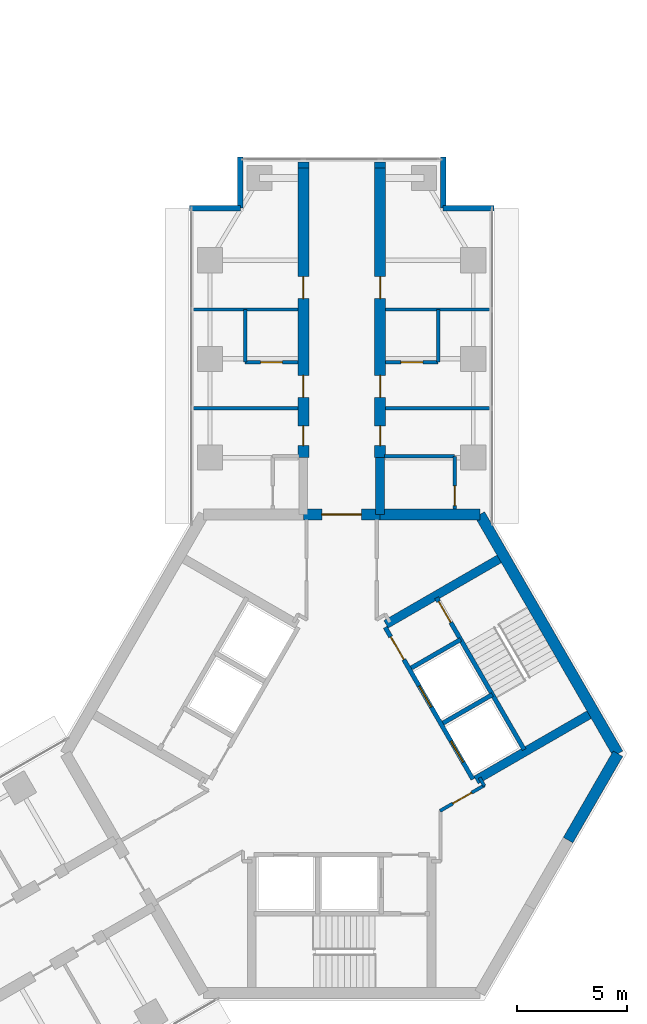
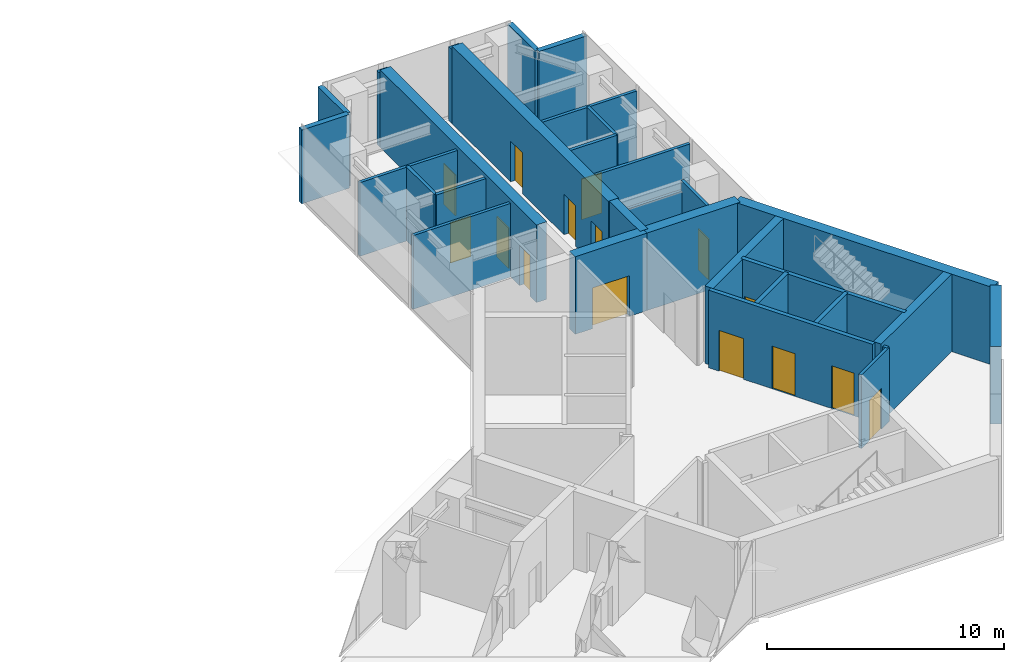
# One storey, part 15 of 17: 31 walls, 15 doors, 15 openings.
"""IFC4 building model written with IfcOpenShell, lengths in metres."""

from ifc_helpers import new_model, si_unit, direction, frame, frame_2d, origin, place, context, subcontext, project, spatial, rectangle, extrude, material, layer, layer_set, type_object, element, fill, save


model = new_model("IFC4")

# Units and contexts
model_context = context("Model", 3, precision=1e-05, world=origin(), true_north=direction((0.0, 1.0)))
body_context = subcontext(model_context, "Body", "Model", "MODEL_VIEW")
ifc_project = project(units=[si_unit("LENGTHUNIT", "METRE"), si_unit("AREAUNIT", "SQUARE_METRE"), si_unit("VOLUMEUNIT", "CUBIC_METRE"), si_unit("PLANEANGLEUNIT", "RADIAN"), si_unit("MASSUNIT", "GRAM", prefix="KILO")], contexts=[model_context])

# Site, building, storey
site_placement = place(None, origin())
site = spatial("IfcSite", under=ifc_project, at=site_placement, CompositionType="ELEMENT")
building_placement = place(site_placement, origin())
building = spatial("IfcBuilding", under=site, at=building_placement, Name="Upepo Twin Towers", CompositionType="ELEMENT")
storey_placement = place(building_placement, frame((0.0, 0.0, 194.5)))
storey = spatial("IfcBuildingStorey", under=building, at=storey_placement, Name="L47", CompositionType="ELEMENT", Elevation=194.5)

# Walls
ifc_material_1 = material(Name="Dense concrete blockwork", Category="masonry")
ifc_layer_1 = layer(ifc_material_1, 0.5)
ifc_layer_set_1 = layer_set([ifc_layer_1], Name="Buttress closer 500, blockwork with fire-stopping to the curtain wall")
wall_type_1 = type_object("IfcWallType", Name="Buttress closer 500, blockwork with fire-stopping to the curtain wall", PredefinedType="PARTITIONING", material=ifc_layer_set_1)
for number, where, z_axis, x_axis, name in (
    (1, (56.75, 8.699951171875, 0.0), (0.0, 0.0, 1.0), (0.0, 1.0, 0.0), "T2 L47 wing A buttress closer L"),
    (2, (60.25, 8.699951171875, 0.0), (0.0, 0.0, 1.0), (0.0, 1.0, 0.0), "T2 L47 wing A buttress closer R"),
):
    element("IfcWall", number, at=place(storey_placement, frame(where, z_axis=z_axis, x_axis=x_axis)), inside=storey, type_object=wall_type_1, Name=name, PredefinedType="PARTITIONING", context=body_context, shape_type="SweptSolid", body=[
        extrude(rectangle(XDim=0.28759765625, YDim=0.5, at=frame_2d((0.143798828125, 0.0))), origin(), (0.0, 0.0, 1.0), 3.800048828125),
    ])
ifc_material_2 = material(Name="Concrete C60/75", Category="concrete")
ifc_layer_2 = layer(ifc_material_2, 0.39990234375)
ifc_layer_set_2 = layer_set([ifc_layer_2], Name="Concrete C60/75")
wall_type_2 = type_object("IfcWallType", Name="Buttress wall 400 RC", PredefinedType="SHEAR", material=ifc_layer_set_2)
wall_1_placement = place(storey_placement, frame((60.25, -7.091552734375, 0.0), z_axis=(0.0, 0.0, 1.0), x_axis=(0.0, 1.0, 0.0)))
element("IfcWall", 3, at=wall_1_placement, inside=storey, type_object=wall_type_2, Name="T2 wing A buttress wall R", PredefinedType="SHEAR", context=body_context, shape_type="SweptSolid", body=[
    extrude(rectangle(XDim=2.591552734375, YDim=0.39990234375, at=frame_2d((1.2958984375, 0.0))), origin(), (0.0, 0.0, 1.0), 4.0),
])

# Wall, openings, doors
ifc_material_3 = material(Name="Concrete C60/75", Category="concrete")
ifc_layer_3 = layer(ifc_material_3, 0.5)
ifc_layer_set_3 = layer_set([ifc_layer_3], Name="Concrete C60/75")
wall_type_3 = type_object("IfcWallType", Name="Buttress wall 500 RC", PredefinedType="SHEAR", material=ifc_layer_set_3)
wall_2_placement = place(storey_placement, frame((56.75, -4.5, 0.0), z_axis=(0.0, 0.0, 1.0), x_axis=(0.0, 1.0, 0.0)))
wall_2 = element("IfcWall", 4, at=wall_2_placement, inside=storey, type_object=wall_type_3, Name="T2 wing A buttress wall L part 2", PredefinedType="SHEAR", context=body_context, shape_type="SweptSolid", body=[
    extrude(rectangle(XDim=13.199951171875, YDim=0.5, at=frame_2d((6.60009765625, 0.0))), origin(), (0.0, 0.0, 1.0), 4.0),
])
opening_1_placement = place(wall_2_placement, frame((0.550048828125, 0.0, 0.0)))
opening_1 = element("IfcOpeningElement", 5, at=opening_1_placement, cuts=wall_2, Name="Opening D11", PredefinedType="OPENING", context=body_context, shape_type="SweptSolid", body=[
    extrude(rectangle(XDim=0.89990234375, YDim=2.10009765625, at=frame_2d((0.449951171875, 1.050048828125))), frame((0.0, 0.260009765625, 0.0), z_axis=(0.0, -1.0, 0.0), x_axis=(1.0, 0.0, 0.0)), (0.0, 0.0, 1.0), 0.52001953125),
])
opening_2_placement = place(wall_2_placement, frame((2.75, 0.0, 0.0)))
opening_2 = element("IfcOpeningElement", 6, at=opening_2_placement, cuts=wall_2, Name="Opening D1", PredefinedType="OPENING", context=body_context, shape_type="SweptSolid", body=[
    extrude(rectangle(XDim=1.0, YDim=2.10009765625, at=frame_2d((0.5, 1.050048828125))), frame((0.0, 0.260009765625, 0.0), z_axis=(0.0, -1.0, 0.0), x_axis=(1.0, 0.0, 0.0)), (0.0, 0.0, 1.0), 0.52001953125),
])
opening_3_placement = place(wall_2_placement, frame((7.25, 0.0, 0.0)))
opening_3 = element("IfcOpeningElement", 7, at=opening_3_placement, cuts=wall_2, Name="Opening D1", PredefinedType="OPENING", context=body_context, shape_type="SweptSolid", body=[
    extrude(rectangle(XDim=1.0, YDim=2.10009765625, at=frame_2d((0.5, 1.050048828125))), frame((0.0, 0.260009765625, 0.0), z_axis=(0.0, -1.0, 0.0), x_axis=(1.0, 0.0, 0.0)), (0.0, 0.0, 1.0), 0.52001953125),
])
ifc_material_4 = material(Name="Timber doorset", Category="wood")
door_type_1 = type_object("IfcDoorType", Name="Room door 1000 FD30", OperationType="SINGLE_SWING_LEFT", PredefinedType="DOOR", material=ifc_material_4)
door_1_placement = place(opening_2_placement, origin())
door_1 = element("IfcDoor", 8, at=door_1_placement, inside=storey, type_object=door_type_1, Name="T2 L47 tutorial room door", OperationType="SINGLE_SWING_LEFT", OverallHeight=2.10009765625, OverallWidth=1.0, PredefinedType="DOOR", context=body_context, shape_type="SweptSolid", body=[
    extrude(rectangle(XDim=1.0, YDim=2.10009765625, at=frame_2d((0.5, 1.050048828125))), frame((0.0, 0.02490234375, 0.0), z_axis=(0.0, -1.0, 0.0), x_axis=(1.0, 0.0, 0.0)), (0.0, 0.0, 1.0), 0.050048828125),
])
fill(opening_2, door_1)
door_2_placement = place(opening_3_placement, origin())
door_2 = element("IfcDoor", 9, at=door_2_placement, inside=storey, type_object=door_type_1, Name="T2 L47 staff office door", OperationType="SINGLE_SWING_RIGHT", OverallHeight=2.10009765625, OverallWidth=1.0, PredefinedType="DOOR", context=body_context, shape_type="SweptSolid", body=[
    extrude(rectangle(XDim=1.0, YDim=2.10009765625, at=frame_2d((0.5, 1.050048828125))), frame((0.0, 0.02490234375, 0.0), z_axis=(0.0, -1.0, 0.0), x_axis=(1.0, 0.0, 0.0)), (0.0, 0.0, 1.0), 0.050048828125),
])
fill(opening_3, door_2)
ifc_material_5 = material(Name="Timber doorset", Category="wood")
door_type_2 = type_object("IfcDoorType", Name="Toilet door 900", OperationType="SINGLE_SWING_LEFT", PredefinedType="DOOR", material=ifc_material_5)
door_3_placement = place(opening_1_placement, origin())
door_3 = element("IfcDoor", 10, at=door_3_placement, inside=storey, type_object=door_type_2, Name="T2 L47 toilets door", OperationType="SINGLE_SWING_LEFT", OverallHeight=2.10009765625, OverallWidth=0.89990234375, PredefinedType="DOOR", context=body_context, shape_type="SweptSolid", body=[
    extrude(rectangle(XDim=0.89990234375, YDim=2.10009765625, at=frame_2d((0.449951171875, 1.050048828125))), frame((0.0, 0.02490234375, 0.0), z_axis=(0.0, -1.0, 0.0), x_axis=(1.0, 0.0, 0.0)), (0.0, 0.0, 1.0), 0.050048828125),
])
fill(opening_1, door_3)

wall_3_placement = place(storey_placement, frame((60.25, -4.5, 0.0), z_axis=(0.0, 0.0, 1.0), x_axis=(0.0, 1.0, 0.0)))
wall_3 = element("IfcWall", 11, at=wall_3_placement, inside=storey, type_object=wall_type_3, Name="T2 wing A buttress wall R part 2", PredefinedType="SHEAR", context=body_context, shape_type="SweptSolid", body=[
    extrude(rectangle(XDim=13.199951171875, YDim=0.5, at=frame_2d((6.60009765625, 0.0))), origin(), (0.0, 0.0, 1.0), 4.0),
])
opening_4_placement = place(wall_3_placement, frame((0.550048828125, 0.0, 0.0)))
opening_4 = element("IfcOpeningElement", 12, at=opening_4_placement, cuts=wall_3, Name="Opening D11", PredefinedType="OPENING", context=body_context, shape_type="SweptSolid", body=[
    extrude(rectangle(XDim=0.89990234375, YDim=2.10009765625, at=frame_2d((0.449951171875, 1.050048828125))), frame((0.0, 0.260009765625, 0.0), z_axis=(0.0, -1.0, 0.0), x_axis=(1.0, 0.0, 0.0)), (0.0, 0.0, 1.0), 0.52001953125),
])
opening_5_placement = place(wall_3_placement, frame((2.75, 0.0, 0.0)))
opening_5 = element("IfcOpeningElement", 13, at=opening_5_placement, cuts=wall_3, Name="Opening D1", PredefinedType="OPENING", context=body_context, shape_type="SweptSolid", body=[
    extrude(rectangle(XDim=1.0, YDim=2.10009765625, at=frame_2d((0.5, 1.050048828125))), frame((0.0, 0.260009765625, 0.0), z_axis=(0.0, -1.0, 0.0), x_axis=(1.0, 0.0, 0.0)), (0.0, 0.0, 1.0), 0.52001953125),
])
opening_6_placement = place(wall_3_placement, frame((7.25, 0.0, 0.0)))
opening_6 = element("IfcOpeningElement", 14, at=opening_6_placement, cuts=wall_3, Name="Opening D1", PredefinedType="OPENING", context=body_context, shape_type="SweptSolid", body=[
    extrude(rectangle(XDim=1.0, YDim=2.10009765625, at=frame_2d((0.5, 1.050048828125))), frame((0.0, 0.260009765625, 0.0), z_axis=(0.0, -1.0, 0.0), x_axis=(1.0, 0.0, 0.0)), (0.0, 0.0, 1.0), 0.52001953125),
])
door_4_placement = place(opening_5_placement, origin())
door_4 = element("IfcDoor", 15, at=door_4_placement, inside=storey, type_object=door_type_1, Name="T2 L47 seminar room door", OperationType="SINGLE_SWING_LEFT", OverallHeight=2.10009765625, OverallWidth=1.0, PredefinedType="DOOR", context=body_context, shape_type="SweptSolid", body=[
    extrude(rectangle(XDim=1.0, YDim=2.10009765625, at=frame_2d((0.5, 1.050048828125))), frame((0.0, 0.02490234375, 0.0), z_axis=(0.0, -1.0, 0.0), x_axis=(1.0, 0.0, 0.0)), (0.0, 0.0, 1.0), 0.050048828125),
])
fill(opening_5, door_4)
door_5_placement = place(opening_6_placement, origin())
door_5 = element("IfcDoor", 16, at=door_5_placement, inside=storey, type_object=door_type_1, Name="T2 L47 tutorial room door", OperationType="SINGLE_SWING_RIGHT", OverallHeight=2.10009765625, OverallWidth=1.0, PredefinedType="DOOR", context=body_context, shape_type="SweptSolid", body=[
    extrude(rectangle(XDim=1.0, YDim=2.10009765625, at=frame_2d((0.5, 1.050048828125))), frame((0.0, 0.02490234375, 0.0), z_axis=(0.0, -1.0, 0.0), x_axis=(1.0, 0.0, 0.0)), (0.0, 0.0, 1.0), 0.050048828125),
])
fill(opening_6, door_5)
door_6_placement = place(opening_4_placement, origin())
door_6 = element("IfcDoor", 17, at=door_6_placement, inside=storey, type_object=door_type_2, Name="T2 L47 accessible wc door", OperationType="SINGLE_SWING_LEFT", OverallHeight=2.10009765625, OverallWidth=0.89990234375, PredefinedType="DOOR", context=body_context, shape_type="SweptSolid", body=[
    extrude(rectangle(XDim=0.89990234375, YDim=2.10009765625, at=frame_2d((0.449951171875, 1.050048828125))), frame((0.0, 0.02490234375, 0.0), z_axis=(0.0, -1.0, 0.0), x_axis=(1.0, 0.0, 0.0)), (0.0, 0.0, 1.0), 0.050048828125),
])
fill(opening_4, door_6)

# Wall
ifc_material_6 = material(Name="Concrete C60/75", Category="concrete")
ifc_layer_4 = layer(ifc_material_6, 0.5)
ifc_layer_set_4 = layer_set([ifc_layer_4], Name="Concrete C60/75")
wall_type_4 = type_object("IfcWallType", Name="Core wall 500 RC", PredefinedType="SHEAR", material=ifc_layer_set_4)
wall_4_placement = place(storey_placement, frame((64.7978515625, -7.091552734375, 0.0), z_axis=(0.0, 0.0, 1.0), x_axis=(-1.0, 0.0, 0.0)))
element("IfcWall", 18, at=wall_4_placement, inside=storey, type_object=wall_type_4, Name="T2 core wall 000 R", PredefinedType="SHEAR", context=body_context, shape_type="SweptSolid", body=[
    extrude(rectangle(XDim=4.5478515625, YDim=0.5, at=frame_2d((2.27392578125, 0.0))), origin(), (0.0, 0.0, 1.0), 4.0),
])

# Wall, opening, door
wall_5_placement = place(storey_placement, frame((60.25, -7.091552734375, 0.0), z_axis=(0.0, 0.0, 1.0), x_axis=(-1.0, 0.0, 0.0)))
wall_5 = element("IfcWall", 19, at=wall_5_placement, inside=storey, type_object=wall_type_4, Name="T2 core wall 000", PredefinedType="SHEAR", context=body_context, shape_type="SweptSolid", body=[
    extrude(rectangle(XDim=3.5, YDim=0.5, at=frame_2d((1.75, 0.0))), origin(), (0.0, 0.0, 1.0), 4.0),
])
opening_7_placement = place(wall_5_placement, frame((0.85009765625, 0.0, 0.0)))
opening_7 = element("IfcOpeningElement", 20, at=opening_7_placement, cuts=wall_5, Name="Opening D2", PredefinedType="OPENING", context=body_context, shape_type="SweptSolid", body=[
    extrude(rectangle(XDim=1.800048828125, YDim=2.10009765625, at=frame_2d((0.89990234375, 1.050048828125))), frame((0.0, 0.260009765625, 0.0), z_axis=(0.0, -1.0, 0.0), x_axis=(1.0, 0.0, 0.0)), (0.0, 0.0, 1.0), 0.52001953125),
])
ifc_material_7 = material(Name="Timber doorset", Category="wood")
door_type_3 = type_object("IfcDoorType", Name="Corridor double door 1800 FD60", OperationType="DOUBLE_DOOR_DOUBLE_SWING", PredefinedType="DOOR", material=ifc_material_7)
door_7_placement = place(opening_7_placement, origin())
door_7 = element("IfcDoor", 21, at=door_7_placement, inside=storey, type_object=door_type_3, Name="T2 L47 wing A corridor door", OperationType="DOUBLE_DOOR_DOUBLE_SWING", OverallHeight=2.10009765625, OverallWidth=1.800048828125, PredefinedType="DOOR", context=body_context, shape_type="SweptSolid", body=[
    extrude(rectangle(XDim=1.800048828125, YDim=2.10009765625, at=frame_2d((0.89990234375, 1.050048828125))), frame((0.0, 0.02490234375, 0.0), z_axis=(0.0, -1.0, 0.0), x_axis=(1.0, 0.0, 0.0)), (0.0, 0.0, 1.0), 0.050048828125),
])
fill(opening_7, door_7)

# Walls
wall_6_placement = place(storey_placement, frame((68.82177734375, -21.938720703125, 0.0), z_axis=(0.0, 0.0, 1.0), x_axis=(0.500024481964, 0.866011268655, 0.0)))
element("IfcWall", 22, at=wall_6_placement, inside=storey, type_object=wall_type_4, Name="T2 core wall 240 L", PredefinedType="SHEAR", context=body_context, shape_type="SweptSolid", body=[
    extrude(rectangle(XDim=4.548095703125, YDim=0.5, at=frame_2d((2.27392578125, 0.0))), origin(), (0.0, 0.0, 1.0), 4.0),
])
wall_7_placement = place(storey_placement, frame((71.095947265625, -18.0, 0.0), z_axis=(0.0, 0.0, 1.0), x_axis=(-0.500005998175, 0.866021940709, 0.0)))
element("IfcWall", 23, at=wall_7_placement, inside=storey, type_object=wall_type_4, Name="T2 core wall 300", PredefinedType="SHEAR", context=body_context, shape_type="SweptSolid", body=[
    extrude(rectangle(XDim=12.595947265625, YDim=0.5, at=frame_2d((6.2978515625, 0.0))), origin(), (0.0, 0.0, 1.0), 4.0),
])
ifc_material_8 = material(Name="Blockwork with anodised aluminium cladding", Category="masonry")
ifc_layer_5 = layer(ifc_material_8, 0.25)
ifc_layer_set_5 = layer_set([ifc_layer_5], Name="Notch cladding wall 250, pale metal")
wall_type_5 = type_object("IfcWallType", Name="Notch cladding wall 250, pale metal", PredefinedType="STANDARD", material=ifc_layer_set_5)
for number, where, z_axis, x_axis, name in (
    (24, (51.550048828125, 6.875, 0.0), (0.0, 0.0, 1.0), (1.0, 0.0, 0.0), "T2 L47 wing A notch wall L1"),
    (25, (53.875, 6.875, 0.0), (0.0, 0.0, 1.0), (0.0, 1.0, 0.0), "T2 L47 wing A notch wall L2"),
    (26, (65.449951171875, 6.875, 0.0), (0.0, 0.0, 1.0), (-1.0, 0.0, 0.0), "T2 L47 wing A notch wall R1"),
    (27, (63.125, 6.875, 0.0), (0.0, 0.0, 1.0), (0.0, 1.0, 0.0), "T2 L47 wing A notch wall R2"),
):
    element("IfcWall", number, at=place(storey_placement, frame(where, z_axis=z_axis, x_axis=x_axis)), inside=storey, type_object=wall_type_5, Name=name, PredefinedType="STANDARD", context=body_context, shape_type="SweptSolid", body=[
        extrude(rectangle(XDim=2.324951171875, YDim=0.25, at=frame_2d((1.16259765625, 0.0))), origin(), (0.0, 0.0, 1.0), 3.800048828125),
    ])

# Wall, openings, doors
ifc_material_9 = material(Name="Concrete C40/50", Category="concrete")
ifc_layer_6 = layer(ifc_material_9, 0.199951171875)
ifc_layer_set_6 = layer_set([ifc_layer_6], Name="Concrete C40/50")
wall_type_6 = type_object("IfcWallType", Name="Shaft wall 200 RC", PredefinedType="SHEAR", material=ifc_layer_set_6)
wall_8_placement = place(storey_placement, frame((64.483642578125, -19.1640625, 0.0), z_axis=(0.0, 0.0, 1.0), x_axis=(-0.49999894854, 0.866026010844, 0.0)))
wall_8 = element("IfcWall", 28, at=wall_8_placement, inside=storey, type_object=wall_type_6, Name="T2 core W300 front wall", PredefinedType="SHEAR", context=body_context, shape_type="SweptSolid", body=[
    extrude(rectangle(XDim=8.0, YDim=0.199951171875, at=frame_2d((4.0, 0.0))), origin(), (0.0, 0.0, 1.0), 4.0),
])
opening_8_placement = place(wall_8_placement, frame((6.300048828125, 0.0, 0.0)))
opening_8 = element("IfcOpeningElement", 29, at=opening_8_placement, cuts=wall_8, Name="Opening D4", PredefinedType="OPENING", context=body_context, shape_type="SweptSolid", body=[
    extrude(rectangle(XDim=1.199951171875, YDim=2.10009765625, at=frame_2d((0.60009765625, 1.050048828125))), frame((0.0, 0.10986328125, 0.0), z_axis=(0.0, -1.0, 0.0), x_axis=(1.0, 0.0, 0.0)), (0.0, 0.0, 1.0), 0.219970703125),
])
opening_9_placement = place(wall_8_placement, frame((0.89990234375, 0.0, 0.0)))
opening_9 = element("IfcOpeningElement", 30, at=opening_9_placement, cuts=wall_8, Name="Opening LD1", PredefinedType="OPENING", context=body_context, shape_type="SweptSolid", body=[
    extrude(rectangle(XDim=1.10009765625, YDim=2.199951171875, at=frame_2d((0.550048828125, 1.10009765625))), frame((0.0, 0.10986328125, 0.0), z_axis=(0.0, -1.0, 0.0), x_axis=(1.0, 0.0, 0.0)), (0.0, 0.0, 1.0), 0.219970703125),
])
opening_10_placement = place(wall_8_placement, frame((3.800048828125, 0.0, 0.0)))
opening_10 = element("IfcOpeningElement", 31, at=opening_10_placement, cuts=wall_8, Name="Opening LD1", PredefinedType="OPENING", context=body_context, shape_type="SweptSolid", body=[
    extrude(rectangle(XDim=1.10009765625, YDim=2.199951171875, at=frame_2d((0.550048828125, 1.10009765625))), frame((0.0, 0.10986328125, 0.0), z_axis=(0.0, -1.0, 0.0), x_axis=(1.0, 0.0, 0.0)), (0.0, 0.0, 1.0), 0.219970703125),
])
ifc_material_10 = material(Name="Steel doorset", Category="steel")
door_type_4 = type_object("IfcDoorType", Name="Lift landing door 1100", OperationType="DOUBLE_DOOR_SLIDING", PredefinedType="DOOR", material=ifc_material_10)
door_8_placement = place(opening_9_placement, origin())
door_8 = element("IfcDoor", 32, at=door_8_placement, inside=storey, type_object=door_type_4, Name="T2 L47 lift UL1 landing door", OperationType="DOUBLE_DOOR_SLIDING", OverallHeight=2.199951171875, OverallWidth=1.10009765625, PredefinedType="DOOR", context=body_context, shape_type="SweptSolid", body=[
    extrude(rectangle(XDim=1.10009765625, YDim=2.199951171875, at=frame_2d((0.550048828125, 1.10009765625))), frame((0.0, 0.02490234375, 0.0), z_axis=(0.0, -1.0, 0.0), x_axis=(1.0, 0.0, 0.0)), (0.0, 0.0, 1.0), 0.050048828125),
])
fill(opening_9, door_8)
door_9_placement = place(opening_10_placement, origin())
door_9 = element("IfcDoor", 33, at=door_9_placement, inside=storey, type_object=door_type_4, Name="T2 L47 lift UL2 landing door", OperationType="DOUBLE_DOOR_SLIDING", OverallHeight=2.199951171875, OverallWidth=1.10009765625, PredefinedType="DOOR", context=body_context, shape_type="SweptSolid", body=[
    extrude(rectangle(XDim=1.10009765625, YDim=2.199951171875, at=frame_2d((0.550048828125, 1.10009765625))), frame((0.0, 0.02490234375, 0.0), z_axis=(0.0, -1.0, 0.0), x_axis=(1.0, 0.0, 0.0)), (0.0, 0.0, 1.0), 0.050048828125),
])
fill(opening_10, door_9)
ifc_material_11 = material(Name="Timber doorset", Category="wood")
door_type_5 = type_object("IfcDoorType", Name="Lobby door 1200 FD60", OperationType="SINGLE_SWING_LEFT", PredefinedType="DOOR", material=ifc_material_11)
door_10_placement = place(opening_8_placement, origin())
door_10 = element("IfcDoor", 34, at=door_10_placement, inside=storey, type_object=door_type_5, Name="T2 L47 W300 lobby door", OperationType="SINGLE_SWING_RIGHT", OverallHeight=2.10009765625, OverallWidth=1.199951171875, PredefinedType="DOOR", context=body_context, shape_type="SweptSolid", body=[
    extrude(rectangle(XDim=1.199951171875, YDim=2.10009765625, at=frame_2d((0.60009765625, 1.050048828125))), frame((0.0, 0.02490234375, 0.0), z_axis=(0.0, -1.0, 0.0), x_axis=(1.0, 0.0, 0.0)), (0.0, 0.0, 1.0), 0.050048828125),
])
fill(opening_8, door_10)

# Walls
wall_9_placement = place(storey_placement, frame((63.120361328125, -16.6025390625, 0.0), z_axis=(0.0, 0.0, 1.0), x_axis=(0.866062058628, 0.499936506574, 0.0)))
element("IfcWall", 35, at=wall_9_placement, inside=storey, type_object=wall_type_6, Name="T2 core W300 shaft divider", PredefinedType="SHEAR", context=body_context, shape_type="SweptSolid", body=[
    extrude(rectangle(XDim=2.599853515625, YDim=0.199951171875, at=frame_2d((1.2998046875, 0.0))), origin(), (0.0, 0.0, 1.0), 4.0),
])
wall_10_placement = place(storey_placement, frame((61.67041015625, -14.091064453125, 0.0), z_axis=(0.0, 0.0, 1.0), x_axis=(0.86603858612, 0.49997716683, 0.0)))
element("IfcWall", 36, at=wall_10_placement, inside=storey, type_object=wall_type_6, Name="T2 core W300 lobby wall", PredefinedType="SHEAR", context=body_context, shape_type="SweptSolid", body=[
    extrude(rectangle(XDim=2.599609375, YDim=0.199951171875, at=frame_2d((1.2998046875, 0.0))), origin(), (0.0, 0.0, 1.0), 4.0),
])

# Wall, opening, door
wall_11_placement = place(storey_placement, frame((66.822021484375, -17.814208984375, 0.0), z_axis=(0.0, 0.0, 1.0), x_axis=(-0.49999894854, 0.866026010844, 0.0)))
wall_11 = element("IfcWall", 37, at=wall_11_placement, inside=storey, type_object=wall_type_6, Name="T2 core W300 stair wall", PredefinedType="SHEAR", context=body_context, shape_type="SweptSolid", body=[
    extrude(rectangle(XDim=8.0, YDim=0.199951171875, at=frame_2d((4.0, 0.0))), origin(), (0.0, 0.0, 1.0), 4.0),
])
opening_11_placement = place(wall_11_placement, frame((6.699951171875, 0.0, 0.0)))
opening_11 = element("IfcOpeningElement", 38, at=opening_11_placement, cuts=wall_11, Name="Opening D3", PredefinedType="OPENING", context=body_context, shape_type="SweptSolid", body=[
    extrude(rectangle(XDim=1.10009765625, YDim=2.10009765625, at=frame_2d((0.550048828125, 1.050048828125))), frame((0.0, 0.10986328125, 0.0), z_axis=(0.0, -1.0, 0.0), x_axis=(1.0, 0.0, 0.0)), (0.0, 0.0, 1.0), 0.219970703125),
])
ifc_material_12 = material(Name="Timber doorset", Category="wood")
door_type_6 = type_object("IfcDoorType", Name="Stair door 1100 FD60", OperationType="SINGLE_SWING_LEFT", PredefinedType="DOOR", material=ifc_material_12)
door_11_placement = place(opening_11_placement, origin())
door_11 = element("IfcDoor", 39, at=door_11_placement, inside=storey, type_object=door_type_6, Name="T2 L47 stair door", OperationType="SINGLE_SWING_RIGHT", OverallHeight=2.10009765625, OverallWidth=1.10009765625, PredefinedType="DOOR", context=body_context, shape_type="SweptSolid", body=[
    extrude(rectangle(XDim=1.10009765625, YDim=2.10009765625, at=frame_2d((0.550048828125, 1.050048828125))), frame((0.0, 0.02490234375, 0.0), z_axis=(0.0, -1.0, 0.0), x_axis=(1.0, 0.0, 0.0)), (0.0, 0.0, 1.0), 0.050048828125),
])
fill(opening_11, door_11)

# Walls
ifc_material_13 = material(Name="Concrete C40/50", Category="concrete")
ifc_layer_7 = layer(ifc_material_13, 0.39990234375)
ifc_layer_set_7 = layer_set([ifc_layer_7], Name="Concrete C40/50")
wall_type_7 = type_object("IfcWallType", Name="Shaft wall 400 RC", PredefinedType="SHEAR", material=ifc_layer_set_7)
wall_12_placement = place(storey_placement, frame((60.520263671875, -12.099365234375, 0.0), z_axis=(0.0, 0.0, 1.0), x_axis=(0.86602319114, 0.500003832394, 0.0)))
element("IfcWall", 40, at=wall_12_placement, inside=storey, type_object=wall_type_7, Name="T2 core W300 side wall N", PredefinedType="SHEAR", context=body_context, shape_type="SweptSolid", body=[
    extrude(rectangle(XDim=5.95849609375, YDim=0.39990234375, at=frame_2d((2.979248046875, 0.0))), origin(), (0.0, 0.0, 1.0), 4.0),
])
wall_13_placement = place(storey_placement, frame((64.620361328125, -19.20068359375, 0.0), z_axis=(0.0, 0.0, 1.0), x_axis=(0.866012946976, 0.500021575205, 0.0)))
element("IfcWall", 41, at=wall_13_placement, inside=storey, type_object=wall_type_7, Name="T2 core W300 side wall S", PredefinedType="SHEAR", context=body_context, shape_type="SweptSolid", body=[
    extrude(rectangle(XDim=5.958251953125, YDim=0.39990234375, at=frame_2d((2.97900390625, 0.0))), origin(), (0.0, 0.0, 1.0), 4.0),
])
ifc_material_14 = material(Name="Gypsum board on steel studs", Category="steel")
ifc_layer_8 = layer(ifc_material_14, 0.14990234375)
ifc_layer_set_8 = layer_set([ifc_layer_8], Name="Teaching partition 150 acoustic")
wall_type_8 = type_object("IfcWallType", Name="Teaching partition 150 acoustic", PredefinedType="PARTITIONING", material=ifc_layer_set_8)
for number, where, z_axis, x_axis, name in (
    (42, (56.5, -2.25, 0.0), (0.0, 0.0, 1.0), (-1.0, 0.0, 0.0), "T2 partition AL at 15.75"),
    (43, (56.5, 2.25, 0.0), (0.0, 0.0, 1.0), (-1.0, 0.0, 0.0), "T2 partition AL at 20.25"),
):
    element("IfcWall", number, at=place(storey_placement, frame(where, z_axis=z_axis, x_axis=x_axis)), inside=storey, type_object=wall_type_8, Name=name, PredefinedType="PARTITIONING", context=body_context, shape_type="SweptSolid", body=[
        extrude(rectangle(XDim=4.75, YDim=0.14990234375, at=frame_2d((2.375, 0.0))), origin(), (0.0, 0.0, 1.0), 3.800048828125),
    ])
wall_14_placement = place(storey_placement, frame((54.10009765625, -0.14990234375, 0.0), z_axis=(0.0, 0.0, 1.0), x_axis=(0.0, 1.0, 0.0)))
element("IfcWall", 44, at=wall_14_placement, inside=storey, type_object=wall_type_8, Name="T2 inner room partition AL at 17.85", PredefinedType="PARTITIONING", context=body_context, shape_type="SweptSolid", body=[
    extrude(rectangle(XDim=2.39990234375, YDim=0.14990234375, at=frame_2d((1.199951171875, 0.0))), origin(), (0.0, 0.0, 1.0), 3.800048828125),
])

# Wall, opening, door
wall_15_placement = place(storey_placement, frame((56.5, -0.14990234375, 0.0), z_axis=(0.0, 0.0, 1.0), x_axis=(-1.0, 0.0, 0.0)))
wall_15 = element("IfcWall", 45, at=wall_15_placement, inside=storey, type_object=wall_type_8, Name="T2 inner room partition AL end at 17.85", PredefinedType="PARTITIONING", context=body_context, shape_type="SweptSolid", body=[
    extrude(rectangle(XDim=2.39990234375, YDim=0.14990234375, at=frame_2d((1.199951171875, 0.0))), origin(), (0.0, 0.0, 1.0), 3.800048828125),
])
opening_12_placement = place(wall_15_placement, frame((0.699951171875, 0.0, 0.0)))
opening_12 = element("IfcOpeningElement", 46, at=opening_12_placement, cuts=wall_15, Name="Opening D1", PredefinedType="OPENING", context=body_context, shape_type="SweptSolid", body=[
    extrude(rectangle(XDim=1.0, YDim=2.10009765625, at=frame_2d((0.5, 1.050048828125))), frame((0.0, 0.0849609375, 0.0), z_axis=(0.0, -1.0, 0.0), x_axis=(1.0, 0.0, 0.0)), (0.0, 0.0, 1.0), 0.169921875),
])
door_12_placement = place(opening_12_placement, origin())
door_12 = element("IfcDoor", 47, at=door_12_placement, inside=storey, type_object=door_type_1, Name="T2 L47 inner room door", OperationType="SINGLE_SWING_LEFT", OverallHeight=2.10009765625, OverallWidth=1.0, PredefinedType="DOOR", context=body_context, shape_type="SweptSolid", body=[
    extrude(rectangle(XDim=1.0, YDim=2.10009765625, at=frame_2d((0.5, 1.050048828125))), frame((0.0, 0.02490234375, 0.0), z_axis=(0.0, -1.0, 0.0), x_axis=(1.0, 0.0, 0.0)), (0.0, 0.0, 1.0), 0.050048828125),
])
fill(opening_12, door_12)

# Walls
for number, where, z_axis, x_axis, name in (
    (48, (60.5, -2.25, 0.0), (0.0, 0.0, 1.0), (1.0, 0.0, 0.0), "T2 partition AR at 15.75"),
    (49, (60.5, 2.25, 0.0), (0.0, 0.0, 1.0), (1.0, 0.0, 0.0), "T2 partition AR at 20.25"),
):
    element("IfcWall", number, at=place(storey_placement, frame(where, z_axis=z_axis, x_axis=x_axis)), inside=storey, type_object=wall_type_8, Name=name, PredefinedType="PARTITIONING", context=body_context, shape_type="SweptSolid", body=[
        extrude(rectangle(XDim=4.75, YDim=0.14990234375, at=frame_2d((2.375, 0.0))), origin(), (0.0, 0.0, 1.0), 3.800048828125),
    ])
wall_16_placement = place(storey_placement, frame((62.89990234375, -0.14990234375, 0.0), z_axis=(0.0, 0.0, 1.0), x_axis=(0.0, 1.0, 0.0)))
element("IfcWall", 50, at=wall_16_placement, inside=storey, type_object=wall_type_8, Name="T2 inner room partition AR at 17.85", PredefinedType="PARTITIONING", context=body_context, shape_type="SweptSolid", body=[
    extrude(rectangle(XDim=2.39990234375, YDim=0.14990234375, at=frame_2d((1.199951171875, 0.0))), origin(), (0.0, 0.0, 1.0), 3.800048828125),
])

# Wall, opening, door
wall_17_placement = place(storey_placement, frame((60.5, -0.14990234375, 0.0), z_axis=(0.0, 0.0, 1.0), x_axis=(1.0, 0.0, 0.0)))
wall_17 = element("IfcWall", 51, at=wall_17_placement, inside=storey, type_object=wall_type_8, Name="T2 inner room partition AR end at 17.85", PredefinedType="PARTITIONING", context=body_context, shape_type="SweptSolid", body=[
    extrude(rectangle(XDim=2.39990234375, YDim=0.14990234375, at=frame_2d((1.199951171875, 0.0))), origin(), (0.0, 0.0, 1.0), 3.800048828125),
])
opening_13_placement = place(wall_17_placement, frame((0.699951171875, 0.0, 0.0)))
opening_13 = element("IfcOpeningElement", 52, at=opening_13_placement, cuts=wall_17, Name="Opening D1", PredefinedType="OPENING", context=body_context, shape_type="SweptSolid", body=[
    extrude(rectangle(XDim=1.0, YDim=2.10009765625, at=frame_2d((0.5, 1.050048828125))), frame((0.0, 0.0849609375, 0.0), z_axis=(0.0, -1.0, 0.0), x_axis=(1.0, 0.0, 0.0)), (0.0, 0.0, 1.0), 0.169921875),
])
door_13_placement = place(opening_13_placement, origin())
door_13 = element("IfcDoor", 53, at=door_13_placement, inside=storey, type_object=door_type_1, Name="T2 L47 inner room door", OperationType="SINGLE_SWING_LEFT", OverallHeight=2.10009765625, OverallWidth=1.0, PredefinedType="DOOR", context=body_context, shape_type="SweptSolid", body=[
    extrude(rectangle(XDim=1.0, YDim=2.10009765625, at=frame_2d((0.5, 1.050048828125))), frame((0.0, 0.02490234375, 0.0), z_axis=(0.0, -1.0, 0.0), x_axis=(1.0, 0.0, 0.0)), (0.0, 0.0, 1.0), 0.050048828125),
])
fill(opening_13, door_13)

wall_18_placement = place(storey_placement, frame((63.64990234375, -6.842041015625, 0.0), z_axis=(0.0, 0.0, 1.0), x_axis=(0.0, 1.0, 0.0)))
wall_18 = element("IfcWall", 54, at=wall_18_placement, inside=storey, type_object=wall_type_8, Name="T2 WC bay partition AR at 11.16", PredefinedType="PARTITIONING", context=body_context, shape_type="SweptSolid", body=[
    extrude(rectangle(XDim=2.400146484375, YDim=0.14990234375, at=frame_2d((1.2001953125, 0.0))), origin(), (0.0, 0.0, 1.0), 3.800048828125),
])
opening_14_placement = place(wall_18_placement, frame((0.14990234375, 0.0, 0.0)))
opening_14 = element("IfcOpeningElement", 55, at=opening_14_placement, cuts=wall_18, Name="Opening D14", PredefinedType="OPENING", context=body_context, shape_type="SweptSolid", body=[
    extrude(rectangle(XDim=0.89990234375, YDim=2.10009765625, at=frame_2d((0.449951171875, 1.050048828125))), frame((0.0, 0.0849609375, 0.0), z_axis=(0.0, -1.0, 0.0), x_axis=(1.0, 0.0, 0.0)), (0.0, 0.0, 1.0), 0.169921875),
])
ifc_material_15 = material(Name="Timber doorset", Category="wood")
door_type_7 = type_object("IfcDoorType", Name="Office door 900 FD30", OperationType="SINGLE_SWING_LEFT", PredefinedType="DOOR", material=ifc_material_15)
door_14_placement = place(opening_14_placement, origin())
door_14 = element("IfcDoor", 56, at=door_14_placement, inside=storey, type_object=door_type_7, Name="T2 L47 WC bay inner room door", OperationType="SINGLE_SWING_LEFT", OverallHeight=2.10009765625, OverallWidth=0.89990234375, PredefinedType="DOOR", context=body_context, shape_type="SweptSolid", body=[
    extrude(rectangle(XDim=0.89990234375, YDim=2.10009765625, at=frame_2d((0.449951171875, 1.050048828125))), frame((0.0, 0.02490234375, 0.0), z_axis=(0.0, -1.0, 0.0), x_axis=(1.0, 0.0, 0.0)), (0.0, 0.0, 1.0), 0.050048828125),
])
fill(opening_14, door_14)

# Walls
wall_19_placement = place(storey_placement, frame((60.449951171875, -4.44189453125, 0.0), z_axis=(0.0, 0.0, 1.0), x_axis=(1.0, 0.0, 0.0)))
element("IfcWall", 57, at=wall_19_placement, inside=storey, type_object=wall_type_8, Name="T2 WC bay partition AR end at 13.56", PredefinedType="PARTITIONING", context=body_context, shape_type="SweptSolid", body=[
    extrude(rectangle(XDim=3.199951171875, YDim=0.14990234375, at=frame_2d((1.60009765625, 0.0))), origin(), (0.0, 0.0, 1.0), 3.266845703125),
])
wall_20_placement = place(storey_placement, frame((64.78857421875, -19.092041015625, 0.0), z_axis=(0.0, 0.0, 1.0), x_axis=(0.499804398801, -0.866138304741, 0.0)))
element("IfcWall", 58, at=wall_20_placement, inside=storey, type_object=wall_type_8, Name="T2 core room partition 14", PredefinedType="PARTITIONING", context=body_context, shape_type="SweptSolid", body=[
    extrude(rectangle(XDim=0.429931640625, YDim=0.14990234375, at=frame_2d((0.21484375, 0.0))), origin(), (0.0, 0.0, 1.0), 3.800048828125),
])

# Wall, opening, door
wall_21_placement = place(storey_placement, frame((65.0107421875, -19.43701171875, 0.0), z_axis=(0.0, 0.0, 1.0), x_axis=(-0.865982457891, -0.500074377092, 0.0)))
wall_21 = element("IfcWall", 59, at=wall_21_placement, inside=storey, type_object=wall_type_8, Name="T2 core room partition 15", PredefinedType="PARTITIONING", context=body_context, shape_type="SweptSolid", body=[
    extrude(rectangle(XDim=2.342041015625, YDim=0.14990234375, at=frame_2d((1.1708984375, 0.0))), origin(), (0.0, 0.0, 1.0), 3.800048828125),
])
opening_15_placement = place(wall_21_placement, frame((0.6708984375, 0.0, 0.0)))
opening_15 = element("IfcOpeningElement", 60, at=opening_15_placement, cuts=wall_21, Name="Opening D1", PredefinedType="OPENING", context=body_context, shape_type="SweptSolid", body=[
    extrude(rectangle(XDim=1.0, YDim=2.10009765625, at=frame_2d((0.5, 1.050048828125))), frame((0.0, 0.0849609375, 0.0), z_axis=(0.0, -1.0, 0.0), x_axis=(1.0, 0.0, 0.0)), (0.0, 0.0, 1.0), 0.169921875),
])
door_15_placement = place(opening_15_placement, origin())
door_15 = element("IfcDoor", 61, at=door_15_placement, inside=storey, type_object=door_type_1, Name="T2 L47 core room door K3", OperationType="SINGLE_SWING_RIGHT", OverallHeight=2.10009765625, OverallWidth=1.0, PredefinedType="DOOR", context=body_context, shape_type="SweptSolid", body=[
    extrude(rectangle(XDim=1.0, YDim=2.10009765625, at=frame_2d((0.5, 1.050048828125))), frame((0.0, 0.02490234375, 0.0), z_axis=(0.0, -1.0, 0.0), x_axis=(1.0, 0.0, 0.0)), (0.0, 0.0, 1.0), 0.050048828125),
])
fill(opening_15, door_15)

save(model, "model.ifc")
